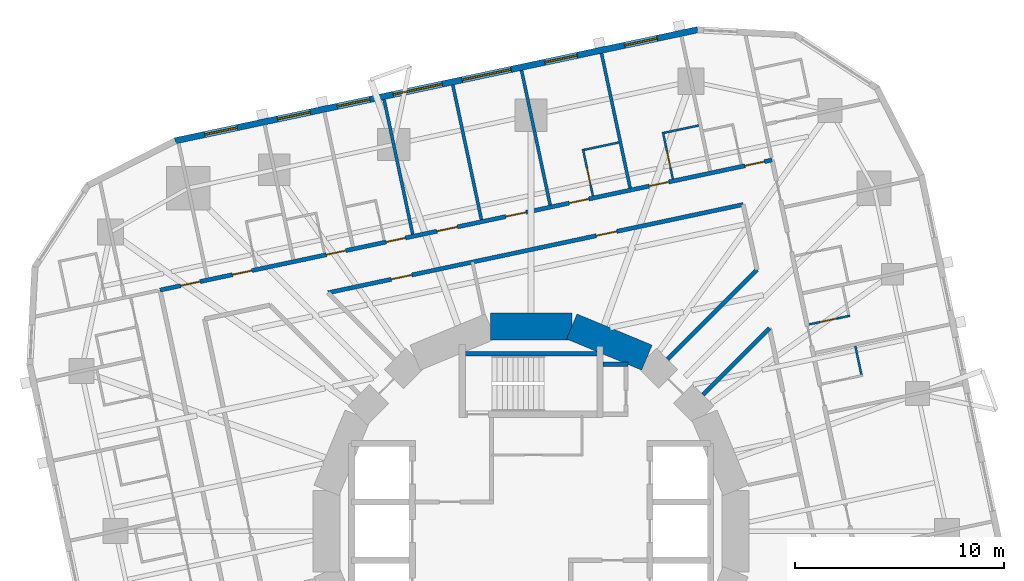
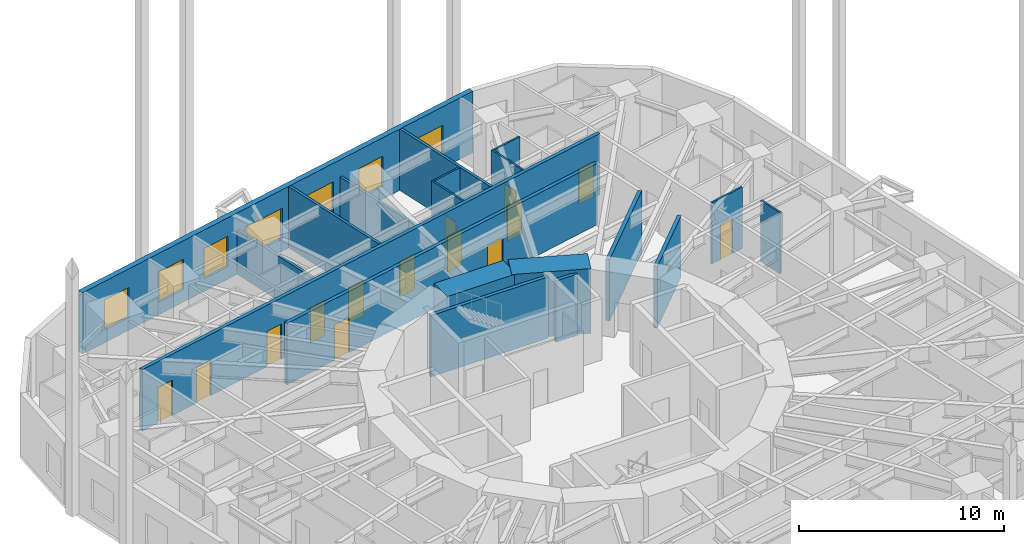
# One storey, part 10 of 12: 19 walls, 14 doors, 7 windows, 21 openings.
"""IFC4 building model written with IfcOpenShell, lengths in metres."""

from ifc_helpers import new_model, si_unit, direction, frame, frame_2d, origin, place, context, subcontext, project, spatial, rectangle, extrude, material, layer, layer_set, type_object, element, fill, save


model = new_model("IFC4")

# Units and contexts
model_context = context("Model", 3, precision=1e-05, world=origin(), true_north=direction((0.0, 1.0)))
body_context = subcontext(model_context, "Body", "Model", "MODEL_VIEW")
ifc_project = project(units=[si_unit("LENGTHUNIT", "METRE"), si_unit("AREAUNIT", "SQUARE_METRE"), si_unit("VOLUMEUNIT", "CUBIC_METRE"), si_unit("PLANEANGLEUNIT", "RADIAN"), si_unit("MASSUNIT", "GRAM", prefix="KILO")], contexts=[model_context])

# Site, building, storey
site_placement = place(None, origin())
site = spatial("IfcSite", under=ifc_project, at=site_placement, CompositionType="ELEMENT")
building_placement = place(site_placement, origin())
building = spatial("IfcBuilding", under=site, at=building_placement, Name="Nakasero Lantern House", CompositionType="ELEMENT")
storey_placement = place(building_placement, frame((0.0, 0.0, 101.14990234375)))
storey = spatial("IfcBuildingStorey", under=building, at=storey_placement, Name="L24", CompositionType="ELEMENT", Elevation=101.14990234375)

# Walls
ifc_material_1 = material(Name="Concrete C50/60", Category="concrete")
ifc_layer_1 = layer(ifc_material_1, 1.300048828125)
ifc_layer_set_1 = layer_set([ifc_layer_1], Name="Core wall 1300")
wall_type_1 = type_object("IfcWallType", Name="Core wall 1300", PredefinedType="SHEAR", material=ifc_layer_set_1)
for number, where, z_axis, x_axis, name in (
    (1, (5.5556640625, 8.314697265625, 0.0), (0.0, 0.0, 1.0), (-0.923876507187, 0.382690736062, 0.0), "Core wall L24 facet 3"),
    (2, (1.950927734375, 9.807861328125, 0.0), (0.0, 0.0, 1.0), (-1.0, 0.0, 0.0), "Core wall L24 facet 4"),
):
    element("IfcWall", number, at=place(storey_placement, frame(where, z_axis=z_axis, x_axis=x_axis)), inside=storey, type_object=wall_type_1, Name=name, PredefinedType="SHEAR", context=body_context, shape_type="SweptSolid", body=[
        extrude(rectangle(XDim=3.90185546875, YDim=1.300048828125, at=frame_2d((1.950927734375, 0.0))), origin(), (0.0, 0.0, 1.0), 3.85009765625),
    ])

# Wall, openings, doors
ifc_material_2 = material(Name="Blockwork", Category="masonry")
ifc_layer_2 = layer(ifc_material_2, 0.199951171875)
ifc_layer_set_2 = layer_set([ifc_layer_2], Name="Corridor wall 200")
wall_type_2 = type_object("IfcWallType", Name="Corridor wall 200", PredefinedType="PARTITIONING", material=ifc_layer_set_2)
wall_1_placement = place(storey_placement, frame((11.553466796875, 17.790771484375, 0.0), z_axis=(0.0, 0.0, 1.0), x_axis=(-0.978147639417, -0.207911508826, 0.0)))
wall_1 = element("IfcWall", 3, at=wall_1_placement, inside=storey, type_object=wall_type_2, Name="Corridor wall L24 CW1", PredefinedType="PARTITIONING", context=body_context, shape_type="SweptSolid", body=[
    extrude(rectangle(XDim=29.999755859375, YDim=0.199951171875, at=frame_2d((15.0, 0.0))), origin(), (0.0, 0.0, 1.0), 3.650146484375),
])
opening_1_placement = place(wall_1_placement, frame((0.375, 0.0, 0.0)))
opening_1 = element("IfcOpeningElement", 4, at=opening_1_placement, cuts=wall_1, Name="Opening D01", PredefinedType="OPENING", context=body_context, shape_type="SweptSolid", body=[
    extrude(rectangle(XDim=0.949951171875, YDim=2.10009765625, at=frame_2d((0.47509765625, 1.050048828125))), frame((0.0, 0.119873046875, 0.0), z_axis=(0.0, -1.0, 0.0), x_axis=(1.0, 0.0, 0.0)), (0.0, 0.0, 1.0), 0.239990234375),
])
opening_2_placement = place(wall_1_placement, frame((5.066162109375, 0.0, 0.0)))
opening_2 = element("IfcOpeningElement", 5, at=opening_2_placement, cuts=wall_1, Name="Opening D01", PredefinedType="OPENING", context=body_context, shape_type="SweptSolid", body=[
    extrude(rectangle(XDim=0.949951171875, YDim=2.10009765625, at=frame_2d((0.47509765625, 1.050048828125))), frame((0.0, 0.119873046875, 0.0), z_axis=(0.0, -1.0, 0.0), x_axis=(1.0, 0.0, 0.0)), (0.0, 0.0, 1.0), 0.239990234375),
])
opening_3_placement = place(wall_1_placement, frame((8.985595703125, 0.0, 0.0)))
opening_3 = element("IfcOpeningElement", 6, at=opening_3_placement, cuts=wall_1, Name="Opening D01", PredefinedType="OPENING", context=body_context, shape_type="SweptSolid", body=[
    extrude(rectangle(XDim=0.949951171875, YDim=2.10009765625, at=frame_2d((0.47509765625, 1.050048828125))), frame((0.0, 0.119873046875, 0.0), z_axis=(0.0, -1.0, 0.0), x_axis=(1.0, 0.0, 0.0)), (0.0, 0.0, 1.0), 0.239990234375),
])
opening_4_placement = place(wall_1_placement, frame((17.967529296875, 0.0, 0.0)))
opening_4 = element("IfcOpeningElement", 7, at=opening_4_placement, cuts=wall_1, Name="Opening D01", PredefinedType="OPENING", context=body_context, shape_type="SweptSolid", body=[
    extrude(rectangle(XDim=0.949951171875, YDim=2.10009765625, at=frame_2d((0.47509765625, 1.050048828125))), frame((0.0, 0.119873046875, 0.0), z_axis=(0.0, -1.0, 0.0), x_axis=(1.0, 0.0, 0.0)), (0.0, 0.0, 1.0), 0.239990234375),
])
opening_5_placement = place(wall_1_placement, frame((20.89404296875, 0.0, 0.0)))
opening_5 = element("IfcOpeningElement", 8, at=opening_5_placement, cuts=wall_1, Name="Opening D01", PredefinedType="OPENING", context=body_context, shape_type="SweptSolid", body=[
    extrude(rectangle(XDim=0.949951171875, YDim=2.10009765625, at=frame_2d((0.47509765625, 1.050048828125))), frame((0.0, 0.119873046875, 0.0), z_axis=(0.0, -1.0, 0.0), x_axis=(1.0, 0.0, 0.0)), (0.0, 0.0, 1.0), 0.239990234375),
])
opening_6_placement = place(wall_1_placement, frame((25.495361328125, 0.0, 0.0)))
opening_6 = element("IfcOpeningElement", 9, at=opening_6_placement, cuts=wall_1, Name="Opening D01", PredefinedType="OPENING", context=body_context, shape_type="SweptSolid", body=[
    extrude(rectangle(XDim=0.949951171875, YDim=2.10009765625, at=frame_2d((0.47509765625, 1.050048828125))), frame((0.0, 0.119873046875, 0.0), z_axis=(0.0, -1.0, 0.0), x_axis=(1.0, 0.0, 0.0)), (0.0, 0.0, 1.0), 0.239990234375),
])
opening_7_placement = place(wall_1_placement, frame((28.038330078125, 0.0, 0.0)))
opening_7 = element("IfcOpeningElement", 10, at=opening_7_placement, cuts=wall_1, Name="Opening D01", PredefinedType="OPENING", context=body_context, shape_type="SweptSolid", body=[
    extrude(rectangle(XDim=0.949951171875, YDim=2.10009765625, at=frame_2d((0.47509765625, 1.050048828125))), frame((0.0, 0.119873046875, 0.0), z_axis=(0.0, -1.0, 0.0), x_axis=(1.0, 0.0, 0.0)), (0.0, 0.0, 1.0), 0.239990234375),
])
opening_8_placement = place(wall_1_placement, frame((12.05517578125, 0.0, 0.0)))
opening_8 = element("IfcOpeningElement", 11, at=opening_8_placement, cuts=wall_1, Name="Opening D03", PredefinedType="OPENING", context=body_context, shape_type="SweptSolid", body=[
    extrude(rectangle(XDim=1.0, YDim=2.10009765625, at=frame_2d((0.5, 1.050048828125))), frame((0.0, 0.119873046875, 0.0), z_axis=(0.0, -1.0, 0.0), x_axis=(1.0, 0.0, 0.0)), (0.0, 0.0, 1.0), 0.239990234375),
])
opening_9_placement = place(wall_1_placement, frame((15.423828125, 0.0, 0.0)))
opening_9 = element("IfcOpeningElement", 12, at=opening_9_placement, cuts=wall_1, Name="Opening D03", PredefinedType="OPENING", context=body_context, shape_type="SweptSolid", body=[
    extrude(rectangle(XDim=1.0, YDim=2.10009765625, at=frame_2d((0.5, 1.050048828125))), frame((0.0, 0.119873046875, 0.0), z_axis=(0.0, -1.0, 0.0), x_axis=(1.0, 0.0, 0.0)), (0.0, 0.0, 1.0), 0.239990234375),
])
ifc_material_3 = material(Name="Timber C24", Category="wood")
door_type_1 = type_object("IfcDoorType", Name="Bedroom door FD30S 950", OperationType="SINGLE_SWING_LEFT", PredefinedType="DOOR", material=ifc_material_3)
door_1_placement = place(opening_1_placement, origin())
door_1 = element("IfcDoor", 13, at=door_1_placement, inside=storey, type_object=door_type_1, Name="Door L24 D1-00", OperationType="SINGLE_SWING_LEFT", OverallHeight=2.10009765625, OverallWidth=0.949951171875, PredefinedType="DOOR", context=body_context, shape_type="SweptSolid", body=[
    extrude(rectangle(XDim=0.949951171875, YDim=2.10009765625, at=frame_2d((0.47509765625, 1.050048828125))), frame((0.0, 0.02490234375, 0.0), z_axis=(0.0, -1.0, 0.0), x_axis=(1.0, 0.0, 0.0)), (0.0, 0.0, 1.0), 0.050048828125),
])
fill(opening_1, door_1)
door_2_placement = place(opening_2_placement, origin())
door_2 = element("IfcDoor", 14, at=door_2_placement, inside=storey, type_object=door_type_1, Name="Door L24 D1-01", OperationType="SINGLE_SWING_LEFT", OverallHeight=2.10009765625, OverallWidth=0.949951171875, PredefinedType="DOOR", context=body_context, shape_type="SweptSolid", body=[
    extrude(rectangle(XDim=0.949951171875, YDim=2.10009765625, at=frame_2d((0.47509765625, 1.050048828125))), frame((0.0, 0.02490234375, 0.0), z_axis=(0.0, -1.0, 0.0), x_axis=(1.0, 0.0, 0.0)), (0.0, 0.0, 1.0), 0.050048828125),
])
fill(opening_2, door_2)
door_3_placement = place(opening_3_placement, origin())
door_3 = element("IfcDoor", 15, at=door_3_placement, inside=storey, type_object=door_type_1, Name="Door L24 D1-02", OperationType="SINGLE_SWING_LEFT", OverallHeight=2.10009765625, OverallWidth=0.949951171875, PredefinedType="DOOR", context=body_context, shape_type="SweptSolid", body=[
    extrude(rectangle(XDim=0.949951171875, YDim=2.10009765625, at=frame_2d((0.47509765625, 1.050048828125))), frame((0.0, 0.02490234375, 0.0), z_axis=(0.0, -1.0, 0.0), x_axis=(1.0, 0.0, 0.0)), (0.0, 0.0, 1.0), 0.050048828125),
])
fill(opening_3, door_3)
door_4_placement = place(opening_4_placement, origin())
door_4 = element("IfcDoor", 16, at=door_4_placement, inside=storey, type_object=door_type_1, Name="Door L24 D1-05", OperationType="SINGLE_SWING_RIGHT", OverallHeight=2.10009765625, OverallWidth=0.949951171875, PredefinedType="DOOR", context=body_context, shape_type="SweptSolid", body=[
    extrude(rectangle(XDim=0.949951171875, YDim=2.10009765625, at=frame_2d((0.47509765625, 1.050048828125))), frame((0.0, 0.02490234375, 0.0), z_axis=(0.0, -1.0, 0.0), x_axis=(1.0, 0.0, 0.0)), (0.0, 0.0, 1.0), 0.050048828125),
])
fill(opening_4, door_4)
door_5_placement = place(opening_5_placement, origin())
door_5 = element("IfcDoor", 17, at=door_5_placement, inside=storey, type_object=door_type_1, Name="Door L24 D1-06", OperationType="SINGLE_SWING_RIGHT", OverallHeight=2.10009765625, OverallWidth=0.949951171875, PredefinedType="DOOR", context=body_context, shape_type="SweptSolid", body=[
    extrude(rectangle(XDim=0.949951171875, YDim=2.10009765625, at=frame_2d((0.47509765625, 1.050048828125))), frame((0.0, 0.02490234375, 0.0), z_axis=(0.0, -1.0, 0.0), x_axis=(1.0, 0.0, 0.0)), (0.0, 0.0, 1.0), 0.050048828125),
])
fill(opening_5, door_5)
door_6_placement = place(opening_6_placement, origin())
door_6 = element("IfcDoor", 18, at=door_6_placement, inside=storey, type_object=door_type_1, Name="Door L24 D1-07", OperationType="SINGLE_SWING_RIGHT", OverallHeight=2.10009765625, OverallWidth=0.949951171875, PredefinedType="DOOR", context=body_context, shape_type="SweptSolid", body=[
    extrude(rectangle(XDim=0.949951171875, YDim=2.10009765625, at=frame_2d((0.47509765625, 1.050048828125))), frame((0.0, 0.02490234375, 0.0), z_axis=(0.0, -1.0, 0.0), x_axis=(1.0, 0.0, 0.0)), (0.0, 0.0, 1.0), 0.050048828125),
])
fill(opening_6, door_6)
door_7_placement = place(opening_7_placement, origin())
door_7 = element("IfcDoor", 19, at=door_7_placement, inside=storey, type_object=door_type_1, Name="Door L24 D1-08", OperationType="SINGLE_SWING_RIGHT", OverallHeight=2.10009765625, OverallWidth=0.949951171875, PredefinedType="DOOR", context=body_context, shape_type="SweptSolid", body=[
    extrude(rectangle(XDim=0.949951171875, YDim=2.10009765625, at=frame_2d((0.47509765625, 1.050048828125))), frame((0.0, 0.02490234375, 0.0), z_axis=(0.0, -1.0, 0.0), x_axis=(1.0, 0.0, 0.0)), (0.0, 0.0, 1.0), 0.050048828125),
])
fill(opening_7, door_7)
ifc_material_4 = material(Name="Timber C24", Category="wood")
door_type_2 = type_object("IfcDoorType", Name="Lounge door FD30S 1000", OperationType="SINGLE_SWING_LEFT", PredefinedType="DOOR", material=ifc_material_4)
door_8_placement = place(opening_8_placement, origin())
door_8 = element("IfcDoor", 20, at=door_8_placement, inside=storey, type_object=door_type_2, Name="Door L24 DK1", OperationType="SINGLE_SWING_LEFT", OverallHeight=2.10009765625, OverallWidth=1.0, PredefinedType="DOOR", context=body_context, shape_type="SweptSolid", body=[
    extrude(rectangle(XDim=1.0, YDim=2.10009765625, at=frame_2d((0.5, 1.050048828125))), frame((0.0, 0.02490234375, 0.0), z_axis=(0.0, -1.0, 0.0), x_axis=(1.0, 0.0, 0.0)), (0.0, 0.0, 1.0), 0.050048828125),
])
fill(opening_8, door_8)
door_9_placement = place(opening_9_placement, origin())
door_9 = element("IfcDoor", 21, at=door_9_placement, inside=storey, type_object=door_type_2, Name="Door L24 DK1-1", OperationType="SINGLE_SWING_RIGHT", OverallHeight=2.10009765625, OverallWidth=1.0, PredefinedType="DOOR", context=body_context, shape_type="SweptSolid", body=[
    extrude(rectangle(XDim=1.0, YDim=2.10009765625, at=frame_2d((0.5, 1.050048828125))), frame((0.0, 0.02490234375, 0.0), z_axis=(0.0, -1.0, 0.0), x_axis=(1.0, 0.0, 0.0)), (0.0, 0.0, 1.0), 0.050048828125),
])
fill(opening_9, door_9)

wall_2_placement = place(storey_placement, frame((10.1669921875, 15.656005859375, 0.0), z_axis=(0.0, 0.0, 1.0), x_axis=(-0.978146922425, -0.207914881985, 0.0)))
wall_2 = element("IfcWall", 22, at=wall_2_placement, inside=storey, type_object=wall_type_2, Name="Corridor wall L24 IW1-0", PredefinedType="PARTITIONING", context=body_context, shape_type="SweptSolid", body=[
    extrude(rectangle(XDim=20.34130859375, YDim=0.199951171875, at=frame_2d((10.170654296875, 0.0))), origin(), (0.0, 0.0, 1.0), 3.650146484375),
])
opening_10_placement = place(wall_2_placement, frame((6.197509765625, 0.0, 0.0)))
opening_10 = element("IfcOpeningElement", 23, at=opening_10_placement, cuts=wall_2, Name="Opening D07", PredefinedType="OPENING", context=body_context, shape_type="SweptSolid", body=[
    extrude(rectangle(XDim=1.0, YDim=2.10009765625, at=frame_2d((0.5, 1.050048828125))), frame((0.0, 0.119873046875, 0.0), z_axis=(0.0, -1.0, 0.0), x_axis=(1.0, 0.0, 0.0)), (0.0, 0.0, 1.0), 0.239990234375),
])
opening_11_placement = place(wall_2_placement, frame((16.2431640625, 0.0, 0.0)))
opening_11 = element("IfcOpeningElement", 24, at=opening_11_placement, cuts=wall_2, Name="Opening D07", PredefinedType="OPENING", context=body_context, shape_type="SweptSolid", body=[
    extrude(rectangle(XDim=1.0, YDim=2.10009765625, at=frame_2d((0.5, 1.050048828125))), frame((0.0, 0.119873046875, 0.0), z_axis=(0.0, -1.0, 0.0), x_axis=(1.0, 0.0, 0.0)), (0.0, 0.0, 1.0), 0.239990234375),
])
ifc_material_5 = material(Name="Timber C24", Category="wood")
door_type_3 = type_object("IfcDoorType", Name="Room door FD30S 1000", OperationType="SINGLE_SWING_LEFT", PredefinedType="DOOR", material=ifc_material_5)
door_10_placement = place(opening_10_placement, origin())
door_10 = element("IfcDoor", 25, at=door_10_placement, inside=storey, type_object=door_type_3, Name="Door L24 DI5", OperationType="SINGLE_SWING_LEFT", OverallHeight=2.10009765625, OverallWidth=1.0, PredefinedType="DOOR", context=body_context, shape_type="SweptSolid", body=[
    extrude(rectangle(XDim=1.0, YDim=2.10009765625, at=frame_2d((0.5, 1.050048828125))), frame((0.0, 0.02490234375, 0.0), z_axis=(0.0, -1.0, 0.0), x_axis=(1.0, 0.0, 0.0)), (0.0, 0.0, 1.0), 0.050048828125),
])
fill(opening_10, door_10)
door_11_placement = place(opening_11_placement, origin())
door_11 = element("IfcDoor", 26, at=door_11_placement, inside=storey, type_object=door_type_3, Name="Door L24 DI6", OperationType="SINGLE_SWING_RIGHT", OverallHeight=2.10009765625, OverallWidth=1.0, PredefinedType="DOOR", context=body_context, shape_type="SweptSolid", body=[
    extrude(rectangle(XDim=1.0, YDim=2.10009765625, at=frame_2d((0.5, 1.050048828125))), frame((0.0, 0.02490234375, 0.0), z_axis=(0.0, -1.0, 0.0), x_axis=(1.0, 0.0, 0.0)), (0.0, 0.0, 1.0), 0.050048828125),
])
fill(opening_11, door_11)

# Walls
wall_3_placement = place(storey_placement, frame((6.54638671875, 8.243408203125, 0.0), z_axis=(0.0, 0.0, 1.0), x_axis=(0.707106781187, 0.707106781187, 0.0)))
element("IfcWall", 27, at=wall_3_placement, inside=storey, type_object=wall_type_2, Name="Corridor wall L24 PS02a", PredefinedType="PARTITIONING", context=body_context, shape_type="SweptSolid", body=[
    extrude(rectangle(XDim=6.060546875, YDim=0.199951171875, at=frame_2d((3.0302734375, 0.0))), origin(), (0.0, 0.0, 1.0), 3.650146484375),
])
wall_4_placement = place(storey_placement, frame((8.243408203125, 6.54638671875, 0.0), z_axis=(0.0, 0.0, 1.0), x_axis=(0.707106781187, 0.707106781187, 0.0)))
element("IfcWall", 28, at=wall_4_placement, inside=storey, type_object=wall_type_2, Name="Corridor wall L24 PS02b", PredefinedType="PARTITIONING", context=body_context, shape_type="SweptSolid", body=[
    extrude(rectangle(XDim=4.501953125, YDim=0.199951171875, at=frame_2d((2.2509765625, 0.0))), origin(), (0.0, 0.0, 1.0), 3.650146484375),
])
ifc_material_6 = material(Name="Blockwork", Category="masonry")
ifc_layer_3 = layer(ifc_material_6, 0.10009765625)
ifc_layer_set_3 = layer_set([ifc_layer_3], Name="En-suite wall 100")
wall_type_3 = type_object("IfcWallType", Name="En-suite wall 100", PredefinedType="PARTITIONING", material=ifc_layer_set_3)
wall_5_placement = place(storey_placement, frame((15.836669921875, 7.50048828125, 0.0), z_axis=(0.0, 0.0, 1.0), x_axis=(-0.207873355681, 0.978155748334, 0.0)))
element("IfcWall", 29, at=wall_5_placement, inside=storey, type_object=wall_type_3, Name="En-suite wall L24 EE0-05", PredefinedType="PARTITIONING", context=body_context, shape_type="SweptSolid", body=[
    extrude(rectangle(XDim=1.39990234375, YDim=0.10009765625, at=frame_2d((0.699951171875, 0.0))), origin(), (0.0, 0.0, 1.0), 3.650146484375),
])

# Wall, opening, door
wall_6_placement = place(storey_placement, frame((13.331298828125, 9.908447265625, 0.0), z_axis=(0.0, 0.0, 1.0), x_axis=(0.978128127149, 0.208003285743, 0.0)))
wall_6 = element("IfcWall", 30, at=wall_6_placement, inside=storey, type_object=wall_type_3, Name="En-suite wall L24 ES0-06", PredefinedType="PARTITIONING", context=body_context, shape_type="SweptSolid", body=[
    extrude(rectangle(XDim=2.0, YDim=0.10009765625, at=frame_2d((1.0, 0.0))), origin(), (0.0, 0.0, 1.0), 3.650146484375),
])
opening_12_placement = place(wall_6_placement, frame((0.550048828125, 0.0, 0.0)))
opening_12 = element("IfcOpeningElement", 31, at=opening_12_placement, cuts=wall_6, Name="Opening D02", PredefinedType="OPENING", context=body_context, shape_type="SweptSolid", body=[
    extrude(rectangle(XDim=0.800048828125, YDim=2.10009765625, at=frame_2d((0.39990234375, 1.050048828125))), frame((0.0, 0.070068359375, 0.0), z_axis=(0.0, -1.0, 0.0), x_axis=(1.0, 0.0, 0.0)), (0.0, 0.0, 1.0), 0.14013671875),
])
ifc_material_7 = material(Name="Timber C24", Category="wood")
door_type_4 = type_object("IfcDoorType", Name="En-suite door 800", OperationType="SINGLE_SWING_RIGHT", PredefinedType="DOOR", material=ifc_material_7)
door_12_placement = place(opening_12_placement, origin())
door_12 = element("IfcDoor", 32, at=door_12_placement, inside=storey, type_object=door_type_4, Name="Door L24 DE0-06", OperationType="SINGLE_SWING_LEFT", OverallHeight=2.10009765625, OverallWidth=0.800048828125, PredefinedType="DOOR", context=body_context, shape_type="SweptSolid", body=[
    extrude(rectangle(XDim=0.800048828125, YDim=2.10009765625, at=frame_2d((0.39990234375, 1.050048828125))), frame((0.0, 0.02490234375, 0.0), z_axis=(0.0, -1.0, 0.0), x_axis=(1.0, 0.0, 0.0)), (0.0, 0.0, 1.0), 0.050048828125),
])
fill(opening_12, door_12)

wall_7_placement = place(storey_placement, frame((6.79736328125, 16.882080078125, 0.0), z_axis=(0.0, 0.0, 1.0), x_axis=(-0.207839712757, 0.978162897375, 0.0)))
wall_7 = element("IfcWall", 33, at=wall_7_placement, inside=storey, type_object=wall_type_3, Name="En-suite wall L24 ES1-01", PredefinedType="PARTITIONING", context=body_context, shape_type="SweptSolid", body=[
    extrude(rectangle(XDim=2.300048828125, YDim=0.10009765625, at=frame_2d((1.14990234375, 0.0))), origin(), (0.0, 0.0, 1.0), 3.650146484375),
])
opening_13_placement = place(wall_7_placement, frame((0.550048828125, 0.0, 0.0)))
opening_13 = element("IfcOpeningElement", 34, at=opening_13_placement, cuts=wall_7, Name="Opening D02", PredefinedType="OPENING", context=body_context, shape_type="SweptSolid", body=[
    extrude(rectangle(XDim=0.800048828125, YDim=2.10009765625, at=frame_2d((0.39990234375, 1.050048828125))), frame((0.0, 0.070068359375, 0.0), z_axis=(0.0, -1.0, 0.0), x_axis=(1.0, 0.0, 0.0)), (0.0, 0.0, 1.0), 0.14013671875),
])
door_13_placement = place(opening_13_placement, origin())
door_13 = element("IfcDoor", 35, at=door_13_placement, inside=storey, type_object=door_type_4, Name="Door L24 DE1-01", OperationType="SINGLE_SWING_LEFT", OverallHeight=2.10009765625, OverallWidth=0.800048828125, PredefinedType="DOOR", context=body_context, shape_type="SweptSolid", body=[
    extrude(rectangle(XDim=0.800048828125, YDim=2.10009765625, at=frame_2d((0.39990234375, 1.050048828125))), frame((0.0, 0.02490234375, 0.0), z_axis=(0.0, -1.0, 0.0), x_axis=(1.0, 0.0, 0.0)), (0.0, 0.0, 1.0), 0.050048828125),
])
fill(opening_13, door_13)

# Wall
wall_8_placement = place(storey_placement, frame((8.041259765625, 19.44677734375, 0.0), z_axis=(0.0, 0.0, 1.0), x_axis=(-0.978168704767, -0.207812379357, 0.0)))
element("IfcWall", 36, at=wall_8_placement, inside=storey, type_object=wall_type_3, Name="En-suite wall L24 EE1-01", PredefinedType="PARTITIONING", context=body_context, shape_type="SweptSolid", body=[
    extrude(rectangle(XDim=1.699951171875, YDim=0.10009765625, at=frame_2d((0.85009765625, 0.0))), origin(), (0.0, 0.0, 1.0), 3.650146484375),
])

# Wall, opening, door
wall_9_placement = place(storey_placement, frame((2.963623046875, 16.0673828125, 0.0), z_axis=(0.0, 0.0, 1.0), x_axis=(-0.207962865015, 0.978136721923, 0.0)))
wall_9 = element("IfcWall", 37, at=wall_9_placement, inside=storey, type_object=wall_type_3, Name="En-suite wall L24 ES1-02", PredefinedType="PARTITIONING", context=body_context, shape_type="SweptSolid", body=[
    extrude(rectangle(XDim=2.2998046875, YDim=0.10009765625, at=frame_2d((1.14990234375, 0.0))), origin(), (0.0, 0.0, 1.0), 3.650146484375),
])
opening_14_placement = place(wall_9_placement, frame((0.550048828125, 0.0, 0.0)))
opening_14 = element("IfcOpeningElement", 38, at=opening_14_placement, cuts=wall_9, Name="Opening D02", PredefinedType="OPENING", context=body_context, shape_type="SweptSolid", body=[
    extrude(rectangle(XDim=0.800048828125, YDim=2.10009765625, at=frame_2d((0.39990234375, 1.050048828125))), frame((0.0, 0.070068359375, 0.0), z_axis=(0.0, -1.0, 0.0), x_axis=(1.0, 0.0, 0.0)), (0.0, 0.0, 1.0), 0.14013671875),
])
door_14_placement = place(opening_14_placement, origin())
door_14 = element("IfcDoor", 39, at=door_14_placement, inside=storey, type_object=door_type_4, Name="Door L24 DE1-02", OperationType="SINGLE_SWING_LEFT", OverallHeight=2.10009765625, OverallWidth=0.800048828125, PredefinedType="DOOR", context=body_context, shape_type="SweptSolid", body=[
    extrude(rectangle(XDim=0.800048828125, YDim=2.10009765625, at=frame_2d((0.39990234375, 1.050048828125))), frame((0.0, 0.02490234375, 0.0), z_axis=(0.0, -1.0, 0.0), x_axis=(1.0, 0.0, 0.0)), (0.0, 0.0, 1.0), 0.050048828125),
])
fill(opening_14, door_14)

# Wall
wall_10_placement = place(storey_placement, frame((4.20751953125, 18.6318359375, 0.0), z_axis=(0.0, 0.0, 1.0), x_axis=(-0.978168704767, -0.207812379357, 0.0)))
element("IfcWall", 40, at=wall_10_placement, inside=storey, type_object=wall_type_3, Name="En-suite wall L24 EE1-02", PredefinedType="PARTITIONING", context=body_context, shape_type="SweptSolid", body=[
    extrude(rectangle(XDim=1.699951171875, YDim=0.10009765625, at=frame_2d((0.85009765625, 0.0))), origin(), (0.0, 0.0, 1.0), 3.650146484375),
])

# Wall, openings, windows
ifc_material_8 = material(Name="Aluminium rainscreen on blockwork", Category="masonry")
ifc_layer_4 = layer(ifc_material_8, 0.300048828125)
ifc_layer_set_4 = layer_set([ifc_layer_4], Name="Facade wall 300")
wall_type_4 = type_object("IfcWallType", Name="Facade wall 300", PredefinedType="SOLIDWALL", material=ifc_layer_set_4)
wall_11_placement = place(storey_placement, frame((7.9775390625, 24.03369140625, 0.0), z_axis=(0.0, 0.0, 1.0), x_axis=(-0.978148160964, -0.207909055127, 0.0)))
wall_11 = element("IfcWall", 41, at=wall_11_placement, inside=storey, type_object=wall_type_4, Name="Facade wall L24 FW1S", PredefinedType="SOLIDWALL", context=body_context, shape_type="SweptSolid", body=[
    extrude(rectangle(XDim=25.60009765625, YDim=0.300048828125, at=frame_2d((12.800048828125, 0.0))), origin(), (0.0, 0.0, 1.0), 3.650146484375),
])
opening_15_placement = place(wall_11_placement, frame((1.975830078125, 0.0, 0.75)))
opening_15 = element("IfcOpeningElement", 42, at=opening_15_placement, cuts=wall_11, Name="Opening W01", PredefinedType="OPENING", context=body_context, shape_type="SweptSolid", body=[
    extrude(rectangle(XDim=1.60009765625, YDim=1.800048828125, at=frame_2d((0.800048828125, 0.89990234375))), frame((0.0, 0.169921875, 0.0), z_axis=(0.0, -1.0, 0.0), x_axis=(1.0, 0.0, 0.0)), (0.0, 0.0, 1.0), 0.340087890625),
])
opening_16_placement = place(wall_11_placement, frame((5.8955078125, 0.0, 0.75)))
opening_16 = element("IfcOpeningElement", 43, at=opening_16_placement, cuts=wall_11, Name="Opening W01", PredefinedType="OPENING", context=body_context, shape_type="SweptSolid", body=[
    extrude(rectangle(XDim=1.60009765625, YDim=1.800048828125, at=frame_2d((0.800048828125, 0.89990234375))), frame((0.0, 0.169921875, 0.0), z_axis=(0.0, -1.0, 0.0), x_axis=(1.0, 0.0, 0.0)), (0.0, 0.0, 1.0), 0.340087890625),
])
opening_17_placement = place(wall_11_placement, frame((16.0556640625, 0.0, 0.75)))
opening_17 = element("IfcOpeningElement", 44, at=opening_17_placement, cuts=wall_11, Name="Opening W01", PredefinedType="OPENING", context=body_context, shape_type="SweptSolid", body=[
    extrude(rectangle(XDim=1.60009765625, YDim=1.800048828125, at=frame_2d((0.800048828125, 0.89990234375))), frame((0.0, 0.169921875, 0.0), z_axis=(0.0, -1.0, 0.0), x_axis=(1.0, 0.0, 0.0)), (0.0, 0.0, 1.0), 0.340087890625),
])
opening_18_placement = place(wall_11_placement, frame((18.982177734375, 0.0, 0.75)))
opening_18 = element("IfcOpeningElement", 45, at=opening_18_placement, cuts=wall_11, Name="Opening W01", PredefinedType="OPENING", context=body_context, shape_type="SweptSolid", body=[
    extrude(rectangle(XDim=1.60009765625, YDim=1.800048828125, at=frame_2d((0.800048828125, 0.89990234375))), frame((0.0, 0.169921875, 0.0), z_axis=(0.0, -1.0, 0.0), x_axis=(1.0, 0.0, 0.0)), (0.0, 0.0, 1.0), 0.340087890625),
])
opening_19_placement = place(wall_11_placement, frame((22.554443359375, 0.0, 0.75)))
opening_19 = element("IfcOpeningElement", 46, at=opening_19_placement, cuts=wall_11, Name="Opening W01", PredefinedType="OPENING", context=body_context, shape_type="SweptSolid", body=[
    extrude(rectangle(XDim=1.60009765625, YDim=1.800048828125, at=frame_2d((0.800048828125, 0.89990234375))), frame((0.0, 0.169921875, 0.0), z_axis=(0.0, -1.0, 0.0), x_axis=(1.0, 0.0, 0.0)), (0.0, 0.0, 1.0), 0.340087890625),
])
opening_20_placement = place(wall_11_placement, frame((9.139404296875, 0.0, 0.75)))
opening_20 = element("IfcOpeningElement", 47, at=opening_20_placement, cuts=wall_11, Name="Opening W03", PredefinedType="OPENING", context=body_context, shape_type="SweptSolid", body=[
    extrude(rectangle(XDim=2.39990234375, YDim=1.800048828125, at=frame_2d((1.199951171875, 0.89990234375))), frame((0.0, 0.169921875, 0.0), z_axis=(0.0, -1.0, 0.0), x_axis=(1.0, 0.0, 0.0)), (0.0, 0.0, 1.0), 0.340087890625),
])
opening_21_placement = place(wall_11_placement, frame((12.50830078125, 0.0, 0.75)))
opening_21 = element("IfcOpeningElement", 48, at=opening_21_placement, cuts=wall_11, Name="Opening W03", PredefinedType="OPENING", context=body_context, shape_type="SweptSolid", body=[
    extrude(rectangle(XDim=2.39990234375, YDim=1.800048828125, at=frame_2d((1.199951171875, 0.89990234375))), frame((0.0, 0.169921875, 0.0), z_axis=(0.0, -1.0, 0.0), x_axis=(1.0, 0.0, 0.0)), (0.0, 0.0, 1.0), 0.340087890625),
])
ifc_material_9 = material(Name="Aluminium 6063-T6 and glass", Category="aluminium")
window_type_1 = type_object("IfcWindowType", Name="Bedroom window 1600x1800", PartitioningType="SINGLE_PANEL", PredefinedType="WINDOW", material=ifc_material_9)
window_1_placement = place(opening_15_placement, origin())
window_1 = element("IfcWindow", 49, at=window_1_placement, inside=storey, type_object=window_type_1, Name="Window L24 WN1-01", OverallHeight=1.800048828125, OverallWidth=1.60009765625, PartitioningType="SINGLE_PANEL", PredefinedType="WINDOW", context=body_context, shape_type="SweptSolid", body=[
    extrude(rectangle(XDim=1.60009765625, YDim=1.800048828125, at=frame_2d((0.800048828125, 0.89990234375))), frame((0.0, 0.030029296875, 0.0), z_axis=(0.0, -1.0, 0.0), x_axis=(1.0, 0.0, 0.0)), (0.0, 0.0, 1.0), 0.06005859375),
])
fill(opening_15, window_1)
window_2_placement = place(opening_16_placement, origin())
window_2 = element("IfcWindow", 50, at=window_2_placement, inside=storey, type_object=window_type_1, Name="Window L24 WN1-02", OverallHeight=1.800048828125, OverallWidth=1.60009765625, PartitioningType="SINGLE_PANEL", PredefinedType="WINDOW", context=body_context, shape_type="SweptSolid", body=[
    extrude(rectangle(XDim=1.60009765625, YDim=1.800048828125, at=frame_2d((0.800048828125, 0.89990234375))), frame((0.0, 0.030029296875, 0.0), z_axis=(0.0, -1.0, 0.0), x_axis=(1.0, 0.0, 0.0)), (0.0, 0.0, 1.0), 0.06005859375),
])
fill(opening_16, window_2)
window_3_placement = place(opening_17_placement, origin())
window_3 = element("IfcWindow", 51, at=window_3_placement, inside=storey, type_object=window_type_1, Name="Window L24 WN1-05", OverallHeight=1.800048828125, OverallWidth=1.60009765625, PartitioningType="SINGLE_PANEL", PredefinedType="WINDOW", context=body_context, shape_type="SweptSolid", body=[
    extrude(rectangle(XDim=1.60009765625, YDim=1.800048828125, at=frame_2d((0.800048828125, 0.89990234375))), frame((0.0, 0.030029296875, 0.0), z_axis=(0.0, -1.0, 0.0), x_axis=(1.0, 0.0, 0.0)), (0.0, 0.0, 1.0), 0.06005859375),
])
fill(opening_17, window_3)
window_4_placement = place(opening_18_placement, origin())
window_4 = element("IfcWindow", 52, at=window_4_placement, inside=storey, type_object=window_type_1, Name="Window L24 WN1-06", OverallHeight=1.800048828125, OverallWidth=1.60009765625, PartitioningType="SINGLE_PANEL", PredefinedType="WINDOW", context=body_context, shape_type="SweptSolid", body=[
    extrude(rectangle(XDim=1.60009765625, YDim=1.800048828125, at=frame_2d((0.800048828125, 0.89990234375))), frame((0.0, 0.030029296875, 0.0), z_axis=(0.0, -1.0, 0.0), x_axis=(1.0, 0.0, 0.0)), (0.0, 0.0, 1.0), 0.06005859375),
])
fill(opening_18, window_4)
window_5_placement = place(opening_19_placement, origin())
window_5 = element("IfcWindow", 53, at=window_5_placement, inside=storey, type_object=window_type_1, Name="Window L24 WN1-07", OverallHeight=1.800048828125, OverallWidth=1.60009765625, PartitioningType="SINGLE_PANEL", PredefinedType="WINDOW", context=body_context, shape_type="SweptSolid", body=[
    extrude(rectangle(XDim=1.60009765625, YDim=1.800048828125, at=frame_2d((0.800048828125, 0.89990234375))), frame((0.0, 0.030029296875, 0.0), z_axis=(0.0, -1.0, 0.0), x_axis=(1.0, 0.0, 0.0)), (0.0, 0.0, 1.0), 0.06005859375),
])
fill(opening_19, window_5)
ifc_material_10 = material(Name="Aluminium 6063-T6 and glass", Category="aluminium")
window_type_2 = type_object("IfcWindowType", Name="Lounge window 2400x1800", PartitioningType="SINGLE_PANEL", PredefinedType="WINDOW", material=ifc_material_10)
window_6_placement = place(opening_20_placement, origin())
window_6 = element("IfcWindow", 54, at=window_6_placement, inside=storey, type_object=window_type_2, Name="Window L24 WK1", OverallHeight=1.800048828125, OverallWidth=2.39990234375, PartitioningType="SINGLE_PANEL", PredefinedType="WINDOW", context=body_context, shape_type="SweptSolid", body=[
    extrude(rectangle(XDim=2.39990234375, YDim=1.800048828125, at=frame_2d((1.199951171875, 0.89990234375))), frame((0.0, 0.030029296875, 0.0), z_axis=(0.0, -1.0, 0.0), x_axis=(1.0, 0.0, 0.0)), (0.0, 0.0, 1.0), 0.06005859375),
])
fill(opening_20, window_6)
window_7_placement = place(opening_21_placement, origin())
window_7 = element("IfcWindow", 55, at=window_7_placement, inside=storey, type_object=window_type_2, Name="Window L24 WL1", OverallHeight=1.800048828125, OverallWidth=2.39990234375, PartitioningType="SINGLE_PANEL", PredefinedType="WINDOW", context=body_context, shape_type="SweptSolid", body=[
    extrude(rectangle(XDim=2.39990234375, YDim=1.800048828125, at=frame_2d((1.199951171875, 0.89990234375))), frame((0.0, 0.030029296875, 0.0), z_axis=(0.0, -1.0, 0.0), x_axis=(1.0, 0.0, 0.0)), (0.0, 0.0, 1.0), 0.06005859375),
])
fill(opening_21, window_7)

# Walls
ifc_material_11 = material(Name="Blockwork", Category="masonry")
ifc_layer_5 = layer(ifc_material_11, 0.199951171875)
ifc_layer_set_5 = layer_set([ifc_layer_5], Name="Fire lobby wall 200")
wall_type_5 = type_object("IfcWallType", Name="Fire lobby wall 200", PredefinedType="PARTITIONING", material=ifc_layer_set_5)
wall_12_placement = place(storey_placement, frame((3.449951171875, 8.0, 0.0), z_axis=(0.0, 0.0, 1.0), x_axis=(1.0, 0.0, 0.0)))
element("IfcWall", 56, at=wall_12_placement, inside=storey, type_object=wall_type_5, Name="Fire lobby wall L24 W-RS1N", PredefinedType="PARTITIONING", context=body_context, shape_type="SweptSolid", body=[
    extrude(rectangle(XDim=1.199951171875, YDim=0.199951171875, at=frame_2d((0.60009765625, 0.0))), origin(), (0.0, 0.0, 1.0), 3.650146484375),
])
wall_13_placement = place(storey_placement, frame((-3.300048828125, 8.5, 0.0), z_axis=(0.0, 0.0, 1.0), x_axis=(1.0, 0.0, 0.0)))
element("IfcWall", 57, at=wall_13_placement, inside=storey, type_object=wall_type_5, Name="Fire lobby wall L24 W-STN", PredefinedType="PARTITIONING", context=body_context, shape_type="SweptSolid", body=[
    extrude(rectangle(XDim=6.60009765625, YDim=0.199951171875, at=frame_2d((3.300048828125, 0.0))), origin(), (0.0, 0.0, 1.0), 3.650146484375),
])
ifc_material_12 = material(Name="Blockwork", Category="masonry")
ifc_layer_6 = layer(ifc_material_12, 0.14990234375)
ifc_layer_set_6 = layer_set([ifc_layer_6], Name="Party wall 150")
wall_type_6 = type_object("IfcWallType", Name="Party wall 150", PredefinedType="PARTITIONING", material=ifc_layer_set_6)
wall_14_placement = place(storey_placement, frame((4.748779296875, 16.44677734375, 0.0), z_axis=(0.0, 0.0, 1.0), x_axis=(-0.207924673876, 0.978144841009, 0.0)))
element("IfcWall", 58, at=wall_14_placement, inside=storey, type_object=wall_type_6, Name="Party wall L24 PW1-02", PredefinedType="PARTITIONING", context=body_context, shape_type="SweptSolid", body=[
    extrude(rectangle(XDim=6.60009765625, YDim=0.14990234375, at=frame_2d((3.300048828125, 0.0))), origin(), (0.0, 0.0, 1.0), 3.650146484375),
])
wall_15_placement = place(storey_placement, frame((0.914794921875, 15.6318359375, 0.0), z_axis=(0.0, 0.0, 1.0), x_axis=(-0.207924673876, 0.978144841009, 0.0)))
element("IfcWall", 59, at=wall_15_placement, inside=storey, type_object=wall_type_6, Name="Party wall L24 PW1-03", PredefinedType="PARTITIONING", context=body_context, shape_type="SweptSolid", body=[
    extrude(rectangle(XDim=6.60009765625, YDim=0.14990234375, at=frame_2d((3.300048828125, 0.0))), origin(), (0.0, 0.0, 1.0), 2.63427734375),
])
wall_16_placement = place(storey_placement, frame((-2.38037109375, 14.931396484375, 0.0), z_axis=(0.0, 0.0, 1.0), x_axis=(-0.207889281984, 0.97815236361, 0.0)))
element("IfcWall", 60, at=wall_16_placement, inside=storey, type_object=wall_type_6, Name="Party wall L24 PW1-04", PredefinedType="PARTITIONING", context=body_context, shape_type="SweptSolid", body=[
    extrude(rectangle(XDim=6.60009765625, YDim=0.14990234375, at=frame_2d((3.300048828125, 0.0))), origin(), (0.0, 0.0, 1.0), 3.650146484375),
])
wall_17_placement = place(storey_placement, frame((-5.67529296875, 14.23095703125, 0.0), z_axis=(0.0, 0.0, 1.0), x_axis=(-0.207924673876, 0.978144841009, 0.0)))
element("IfcWall", 61, at=wall_17_placement, inside=storey, type_object=wall_type_6, Name="Party wall L24 PW1-05", PredefinedType="PARTITIONING", context=body_context, shape_type="SweptSolid", body=[
    extrude(rectangle(XDim=6.60009765625, YDim=0.14990234375, at=frame_2d((3.300048828125, 0.0))), origin(), (0.0, 0.0, 1.0), 2.650146484375),
])

save(model, "model.ifc")
